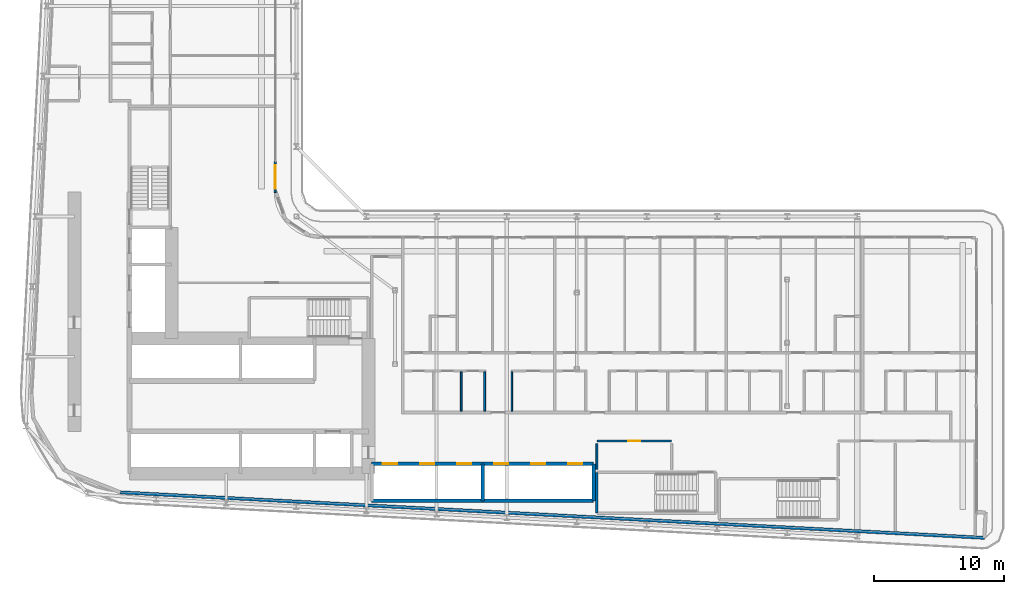
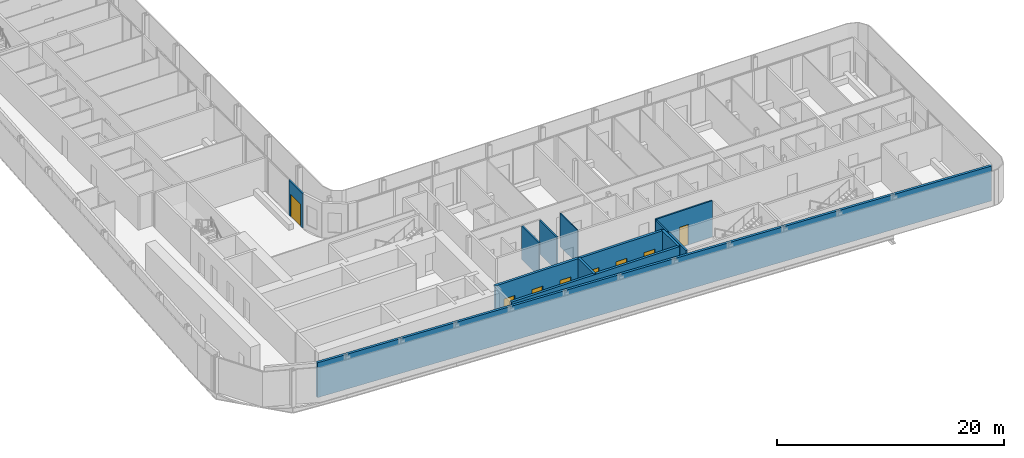
# One storey, part 14 of 28: 12 walls, 8 doors, 8 openings.
"""IFC4 building model written with IfcOpenShell, lengths in metres."""

from ifc_helpers import new_model, si_unit, direction, frame, frame_2d, origin, place, context, subcontext, project, spatial, rectangle, extrude, source, transform, mapped, material, layer, layer_set, type_object, element, fill, save


model = new_model("IFC4")

# Units and contexts
model_context = context("Model", 3, precision=1e-05, world=origin(), true_north=direction((0.0, 1.0)))
body_context = subcontext(model_context, "Body", "Model", "MODEL_VIEW")
ifc_project = project(units=[si_unit("LENGTHUNIT", "METRE"), si_unit("AREAUNIT", "SQUARE_METRE"), si_unit("VOLUMEUNIT", "CUBIC_METRE"), si_unit("PLANEANGLEUNIT", "RADIAN"), si_unit("MASSUNIT", "GRAM", prefix="KILO")], contexts=[model_context])

# Site, building, storey
site_placement = place(None, origin())
site = spatial("IfcSite", under=ifc_project, at=site_placement, CompositionType="ELEMENT")
building_placement = place(site_placement, origin())
building = spatial("IfcBuilding", under=site, at=building_placement, Name="Kheshtan School and Residences Tower", CompositionType="ELEMENT")
storey_placement = place(building_placement, frame((0.0, 0.0, 73.39990234375)))
storey = spatial("IfcBuildingStorey", under=building, at=storey_placement, Name="L17", CompositionType="ELEMENT", Elevation=73.39990234375)

# Wall
ifc_material_1 = material(Name="Concrete C40/50 with ceramic cladding and mineral wool insulation", Category="concrete")
ifc_layer_1 = layer(ifc_material_1, 0.25)
ifc_layer_set_1 = layer_set([ifc_layer_1], Name="External wall 250 ceramic clad")
wall_type_1 = type_object("IfcWallType", Name="External wall 250 ceramic clad", PredefinedType="SOLIDWALL", material=ifc_layer_set_1)
wall_1_placement = place(storey_placement, frame((100.5859375, 20.85009765625, 0.0), z_axis=(0.0, 0.0, 1.0), x_axis=(-0.99861746497, 0.052565755559, 0.0)))
element("IfcWall", 1, at=wall_1_placement, inside=storey, type_object=wall_type_1, Name="External wall L17 16", PredefinedType="SOLIDWALL", context=body_context, shape_type="SweptSolid", body=[
    extrude(rectangle(XDim=66.638916015625, YDim=0.25, at=frame_2d((33.3193359375, 0.0))), origin(), (0.0, 0.0, 1.0), 3.75),
])

# Wall, opening, door
ifc_material_2 = material(Name="Aluminium frame wall with insulated infill", Category="aluminium")
ifc_layer_2 = layer(ifc_material_2, 0.14990234375)
ifc_layer_set_2 = layer_set([ifc_layer_2], Name="Glazing frame wall 150")
wall_type_2 = type_object("IfcWallType", Name="Glazing frame wall 150", PredefinedType="SOLIDWALL", material=ifc_layer_set_2)
wall_2_placement = place(storey_placement, frame((45.97509765625, 49.830078125, 0.0), z_axis=(0.0, 0.0, 1.0), x_axis=(0.0, -1.0, 0.0)))
wall_2 = element("IfcWall", 2, at=wall_2_placement, inside=storey, type_object=wall_type_2, Name="Balcony door wall L17 8.5", PredefinedType="SOLIDWALL", context=body_context, shape_type="SweptSolid", body=[
    extrude(rectangle(XDim=2.400146484375, YDim=0.14990234375, at=frame_2d((1.2001953125, 0.0))), origin(), (0.0, 0.0, 1.0), 3.75),
])
opening_1_placement = place(wall_2_placement, frame((0.300048828125, 0.0, 0.0)))
opening_1 = element("IfcOpeningElement", 3, at=opening_1_placement, cuts=wall_2, Name="Opening BD", PredefinedType="OPENING", context=body_context, shape_type="SweptSolid", body=[
    extrude(rectangle(XDim=1.800048828125, YDim=2.39990234375, at=frame_2d((0.89990234375, 1.199951171875))), frame((0.0, 0.0849609375, 0.0), z_axis=(0.0, -1.0, 0.0), x_axis=(1.0, 0.0, 0.0)), (0.0, 0.0, 1.0), 0.169921875),
])
ifc_material_3 = material(Name="Clear low-e glass in thermally broken aluminium frame", Category="aluminium")
door_type_1 = type_object("IfcDoorType", Name="Balcony sliding door", OperationType="SLIDING_TO_LEFT", PredefinedType="DOOR", material=ifc_material_3)
shared_shape_1 = source(origin(), body_context, "Body", "SweptSolid", [
    extrude(rectangle(XDim=1.800048828125, YDim=2.39990234375, at=frame_2d((0.89990234375, 1.199951171875))), frame((0.0, 0.02490234375, 0.0), z_axis=(0.0, -1.0, 0.0), x_axis=(1.0, 0.0, 0.0)), (0.0, 0.0, 1.0), 0.050048828125),
])
door_1_placement = place(opening_1_placement, origin())
door_1 = element("IfcDoor", 4, at=door_1_placement, inside=storey, type_object=door_type_1, Name="Balcony door L17 8.5", OperationType="SLIDING_TO_LEFT", OverallHeight=2.39990234375, OverallWidth=1.800048828125, PredefinedType="DOOR", context=body_context, shape_type="MappedRepresentation", body=[
    mapped(shared_shape_1, transform((0.0, 0.0, 0.0), x_axis=(1.0, 0.0, 0.0), y_axis=(0.0, 1.0, 0.0), z_axis=(0.0, 0.0, 1.0), scale=1.0)),
])
fill(opening_1, door_1)

# Wall
ifc_material_4 = material(Name="Gypsum board on steel studs", Category="steel")
ifc_layer_3 = layer(ifc_material_4, 0.10009765625)
ifc_layer_set_3 = layer_set([ifc_layer_3], Name="Gypsum partition 100")
wall_type_3 = type_object("IfcWallType", Name="Gypsum partition 100", PredefinedType="PARTITIONING", material=ifc_layer_set_3)
wall_3_placement = place(storey_placement, frame((64.199951171875, 30.60009765625, 0.0), z_axis=(0.0, 0.0, 1.0), x_axis=(0.0, 1.0, 0.0)))
element("IfcWall", 5, at=wall_3_placement, inside=storey, type_object=wall_type_3, Name="Partition L17-058", PredefinedType="PARTITIONING", context=body_context, shape_type="SweptSolid", body=[
    extrude(rectangle(XDim=3.02490234375, YDim=0.10009765625, at=frame_2d((1.512451171875, 0.0))), origin(), (0.0, 0.0, 1.0), 3.60009765625),
])

# Wall, opening, door
ifc_material_5 = material(Name="Fire-board shaft wall system")
ifc_layer_4 = layer(ifc_material_5, 0.14990234375)
ifc_layer_set_4 = layer_set([ifc_layer_4], Name="Service room wall 150")
wall_type_4 = type_object("IfcWallType", Name="Service room wall 150", PredefinedType="PARTITIONING", material=ifc_layer_set_4)
wall_4_placement = place(storey_placement, frame((70.75, 28.300048828125, 0.0), z_axis=(0.0, 0.0, 1.0), x_axis=(1.0, 0.0, 0.0)))
wall_4 = element("IfcWall", 6, at=wall_4_placement, inside=storey, type_object=wall_type_4, Name="Service room wall", PredefinedType="PARTITIONING", context=body_context, shape_type="SweptSolid", body=[
    extrude(rectangle(XDim=5.760009765625, YDim=0.14990234375, at=frame_2d((2.8798828125, 0.0))), origin(), (0.0, 0.0, 1.0), 3.900146484375),
])
opening_2_placement = place(wall_4_placement, frame((2.429931640625, 0.0, 0.0)))
opening_2 = element("IfcOpeningElement", 7, at=opening_2_placement, cuts=wall_4, Name="Opening SR90", PredefinedType="OPENING", context=body_context, shape_type="SweptSolid", body=[
    extrude(rectangle(XDim=0.89990234375, YDim=2.199951171875, at=frame_2d((0.449951171875, 1.10009765625))), frame((0.0, 0.0849609375, 0.0), z_axis=(0.0, -1.0, 0.0), x_axis=(1.0, 0.0, 0.0)), (0.0, 0.0, 1.0), 0.169921875),
])
ifc_material_6 = material(Name="Steel door leaf, galvanised", Category="steel")
door_type_2 = type_object("IfcDoorType", Name="Service room door 900 steel 90 min", OperationType="SINGLE_SWING_LEFT", PredefinedType="DOOR", material=ifc_material_6)
shared_shape_2 = source(origin(), body_context, "Body", "SweptSolid", [
    extrude(rectangle(XDim=0.89990234375, YDim=2.199951171875, at=frame_2d((0.449951171875, 1.10009765625))), frame((0.0, 0.02490234375, 0.0), z_axis=(0.0, -1.0, 0.0), x_axis=(1.0, 0.0, 0.0)), (0.0, 0.0, 1.0), 0.050048828125),
])
door_2_placement = place(opening_2_placement, origin())
door_2 = element("IfcDoor", 8, at=door_2_placement, inside=storey, type_object=door_type_2, Name="Service room door", OperationType="SINGLE_SWING_LEFT", OverallHeight=2.199951171875, OverallWidth=0.89990234375, PredefinedType="DOOR", context=body_context, shape_type="MappedRepresentation", body=[
    mapped(shared_shape_2, transform((0.0, 0.0, 0.0), x_axis=(1.0, 0.0, 0.0), y_axis=(0.0, 1.0, 0.0), z_axis=(0.0, 0.0, 1.0), scale=1.0)),
])
fill(opening_2, door_2)

# Walls
wall_5_placement = place(storey_placement, frame((70.75, 26.1201171875, 0.0), z_axis=(0.0, 0.0, 1.0), x_axis=(0.0, 1.0, 0.0)))
element("IfcWall", 9, at=wall_5_placement, inside=storey, type_object=wall_type_4, Name="Service room wall", PredefinedType="PARTITIONING", context=body_context, shape_type="SweptSolid", body=[
    extrude(rectangle(XDim=1.98486328125, YDim=0.14990234375, at=frame_2d((0.992431640625, 0.0))), origin(), (0.0, 0.0, 1.0), 3.900146484375),
])
ifc_layer_5 = layer(ifc_material_5, 0.25)
ifc_layer_set_5 = layer_set([ifc_layer_5], Name="Shaft lining wall 250")
wall_type_5 = type_object("IfcWallType", Name="Shaft lining wall 250", PredefinedType="PARTITIONING", material=ifc_layer_set_5)
for number, where, z_axis, x_axis, name in (
    (10, (61.949951171875, 23.699951171875, 0.0), (0.0, 0.0, 1.0), (0.0, 1.0, 0.0), "Shaft lining wall"),
    (11, (70.5, 23.699951171875, 0.0), (0.0, 0.0, 1.0), (0.0, 1.0, 0.0), "Shaft lining wall"),
):
    element("IfcWall", number, at=place(storey_placement, frame(where, z_axis=z_axis, x_axis=x_axis)), inside=storey, type_object=wall_type_5, Name=name, PredefinedType="PARTITIONING", context=body_context, shape_type="SweptSolid", body=[
        extrude(rectangle(XDim=2.85009765625, YDim=0.25, at=frame_2d((1.425048828125, 0.0))), origin(), (0.0, 0.0, 1.0), 3.900146484375),
    ])
wall_6_placement = place(storey_placement, frame((53.39990234375, 23.699951171875, 0.0), z_axis=(0.0, 0.0, 1.0), x_axis=(1.0, 0.0, 0.0)))
element("IfcWall", 12, at=wall_6_placement, inside=storey, type_object=wall_type_5, Name="Shaft lining wall", PredefinedType="PARTITIONING", context=body_context, shape_type="SweptSolid", body=[
    extrude(rectangle(XDim=17.10009765625, YDim=0.25, at=frame_2d((8.550048828125, 0.0))), origin(), (0.0, 0.0, 1.0), 3.900146484375),
])

# Wall, openings, doors
wall_7_placement = place(storey_placement, frame((53.39990234375, 26.550048828125, 0.0), z_axis=(0.0, 0.0, 1.0), x_axis=(1.0, 0.0, 0.0)))
wall_7 = element("IfcWall", 13, at=wall_7_placement, inside=storey, type_object=wall_type_5, Name="Shaft lining wall", PredefinedType="PARTITIONING", context=body_context, shape_type="SweptSolid", body=[
    extrude(rectangle(XDim=17.10009765625, YDim=0.25, at=frame_2d((8.550048828125, 0.0))), origin(), (0.0, 0.0, 1.0), 3.900146484375),
])
opening_3_placement = place(wall_7_placement, frame((0.875, 0.0, 0.0)))
opening_3 = element("IfcOpeningElement", 14, at=opening_3_placement, cuts=wall_7, Name="Opening LD", PredefinedType="OPENING", context=body_context, shape_type="SweptSolid", body=[
    extrude(rectangle(XDim=1.10009765625, YDim=2.199951171875, at=frame_2d((0.550048828125, 1.10009765625))), frame((0.0, 0.135009765625, 0.0), z_axis=(0.0, -1.0, 0.0), x_axis=(1.0, 0.0, 0.0)), (0.0, 0.0, 1.0), 0.27001953125),
])
opening_4_placement = place(wall_7_placement, frame((3.72509765625, 0.0, 0.0)))
opening_4 = element("IfcOpeningElement", 15, at=opening_4_placement, cuts=wall_7, Name="Opening LD", PredefinedType="OPENING", context=body_context, shape_type="SweptSolid", body=[
    extrude(rectangle(XDim=1.10009765625, YDim=2.199951171875, at=frame_2d((0.550048828125, 1.10009765625))), frame((0.0, 0.135009765625, 0.0), z_axis=(0.0, -1.0, 0.0), x_axis=(1.0, 0.0, 0.0)), (0.0, 0.0, 1.0), 0.27001953125),
])
opening_5_placement = place(wall_7_placement, frame((6.574951171875, 0.0, 0.0)))
opening_5 = element("IfcOpeningElement", 16, at=opening_5_placement, cuts=wall_7, Name="Opening LD", PredefinedType="OPENING", context=body_context, shape_type="SweptSolid", body=[
    extrude(rectangle(XDim=1.10009765625, YDim=2.199951171875, at=frame_2d((0.550048828125, 1.10009765625))), frame((0.0, 0.135009765625, 0.0), z_axis=(0.0, -1.0, 0.0), x_axis=(1.0, 0.0, 0.0)), (0.0, 0.0, 1.0), 0.27001953125),
])
opening_6_placement = place(wall_7_placement, frame((9.425048828125, 0.0, 0.0)))
opening_6 = element("IfcOpeningElement", 17, at=opening_6_placement, cuts=wall_7, Name="Opening LD", PredefinedType="OPENING", context=body_context, shape_type="SweptSolid", body=[
    extrude(rectangle(XDim=1.10009765625, YDim=2.199951171875, at=frame_2d((0.550048828125, 1.10009765625))), frame((0.0, 0.135009765625, 0.0), z_axis=(0.0, -1.0, 0.0), x_axis=(1.0, 0.0, 0.0)), (0.0, 0.0, 1.0), 0.27001953125),
])
opening_7_placement = place(wall_7_placement, frame((12.27490234375, 0.0, 0.0)))
opening_7 = element("IfcOpeningElement", 18, at=opening_7_placement, cuts=wall_7, Name="Opening LD", PredefinedType="OPENING", context=body_context, shape_type="SweptSolid", body=[
    extrude(rectangle(XDim=1.10009765625, YDim=2.199951171875, at=frame_2d((0.550048828125, 1.10009765625))), frame((0.0, 0.135009765625, 0.0), z_axis=(0.0, -1.0, 0.0), x_axis=(1.0, 0.0, 0.0)), (0.0, 0.0, 1.0), 0.27001953125),
])
opening_8_placement = place(wall_7_placement, frame((15.125, 0.0, 0.0)))
opening_8 = element("IfcOpeningElement", 19, at=opening_8_placement, cuts=wall_7, Name="Opening LD", PredefinedType="OPENING", context=body_context, shape_type="SweptSolid", body=[
    extrude(rectangle(XDim=1.10009765625, YDim=2.199951171875, at=frame_2d((0.550048828125, 1.10009765625))), frame((0.0, 0.135009765625, 0.0), z_axis=(0.0, -1.0, 0.0), x_axis=(1.0, 0.0, 0.0)), (0.0, 0.0, 1.0), 0.27001953125),
])
ifc_material_7 = material(Name="Stainless steel door leaves", Category="steel")
door_type_3 = type_object("IfcDoorType", Name="Lift landing door 1100", OperationType="SLIDING_TO_LEFT", PredefinedType="DOOR", material=ifc_material_7)
shared_shape_3 = source(origin(), body_context, "Body", "SweptSolid", [
    extrude(rectangle(XDim=1.10009765625, YDim=2.199951171875, at=frame_2d((0.550048828125, 1.10009765625))), frame((0.0, 0.02490234375, 0.0), z_axis=(0.0, -1.0, 0.0), x_axis=(1.0, 0.0, 0.0)), (0.0, 0.0, 1.0), 0.050048828125),
])
door_3_placement = place(opening_3_placement, origin())
door_3 = element("IfcDoor", 20, at=door_3_placement, inside=storey, type_object=door_type_3, Name="Lift P1 landing door", OperationType="SLIDING_TO_LEFT", OverallHeight=2.199951171875, OverallWidth=1.10009765625, PredefinedType="DOOR", context=body_context, shape_type="MappedRepresentation", body=[
    mapped(shared_shape_3, transform((0.0, 0.0, 0.0), x_axis=(1.0, 0.0, 0.0), y_axis=(0.0, 1.0, 0.0), z_axis=(0.0, 0.0, 1.0), scale=1.0)),
])
fill(opening_3, door_3)
door_4_placement = place(opening_4_placement, origin())
door_4 = element("IfcDoor", 21, at=door_4_placement, inside=storey, type_object=door_type_3, Name="Lift P2 landing door", OperationType="SLIDING_TO_LEFT", OverallHeight=2.199951171875, OverallWidth=1.10009765625, PredefinedType="DOOR", context=body_context, shape_type="MappedRepresentation", body=[
    mapped(shared_shape_3, transform((0.0, 0.0, 0.0), x_axis=(1.0, 0.0, 0.0), y_axis=(0.0, 1.0, 0.0), z_axis=(0.0, 0.0, 1.0), scale=1.0)),
])
fill(opening_4, door_4)
door_5_placement = place(opening_5_placement, origin())
door_5 = element("IfcDoor", 22, at=door_5_placement, inside=storey, type_object=door_type_3, Name="Lift P3 landing door", OperationType="SLIDING_TO_LEFT", OverallHeight=2.199951171875, OverallWidth=1.10009765625, PredefinedType="DOOR", context=body_context, shape_type="MappedRepresentation", body=[
    mapped(shared_shape_3, transform((0.0, 0.0, 0.0), x_axis=(1.0, 0.0, 0.0), y_axis=(0.0, 1.0, 0.0), z_axis=(0.0, 0.0, 1.0), scale=1.0)),
])
fill(opening_5, door_5)
door_6_placement = place(opening_6_placement, origin())
door_6 = element("IfcDoor", 23, at=door_6_placement, inside=storey, type_object=door_type_3, Name="Lift P4 landing door", OperationType="SLIDING_TO_LEFT", OverallHeight=2.199951171875, OverallWidth=1.10009765625, PredefinedType="DOOR", context=body_context, shape_type="MappedRepresentation", body=[
    mapped(shared_shape_3, transform((0.0, 0.0, 0.0), x_axis=(1.0, 0.0, 0.0), y_axis=(0.0, 1.0, 0.0), z_axis=(0.0, 0.0, 1.0), scale=1.0)),
])
fill(opening_6, door_6)
door_7_placement = place(opening_7_placement, origin())
door_7 = element("IfcDoor", 24, at=door_7_placement, inside=storey, type_object=door_type_3, Name="Lift P5 landing door", OperationType="SLIDING_TO_LEFT", OverallHeight=2.199951171875, OverallWidth=1.10009765625, PredefinedType="DOOR", context=body_context, shape_type="MappedRepresentation", body=[
    mapped(shared_shape_3, transform((0.0, 0.0, 0.0), x_axis=(1.0, 0.0, 0.0), y_axis=(0.0, 1.0, 0.0), z_axis=(0.0, 0.0, 1.0), scale=1.0)),
])
fill(opening_7, door_7)
door_8_placement = place(opening_8_placement, origin())
door_8 = element("IfcDoor", 25, at=door_8_placement, inside=storey, type_object=door_type_3, Name="Lift P6 landing door", OperationType="SLIDING_TO_LEFT", OverallHeight=2.199951171875, OverallWidth=1.10009765625, PredefinedType="DOOR", context=body_context, shape_type="MappedRepresentation", body=[
    mapped(shared_shape_3, transform((0.0, 0.0, 0.0), x_axis=(1.0, 0.0, 0.0), y_axis=(0.0, 1.0, 0.0), z_axis=(0.0, 0.0, 1.0), scale=1.0)),
])
fill(opening_8, door_8)

# Walls
ifc_material_8 = material(Name="Concrete C40/50", Category="concrete")
ifc_layer_6 = layer(ifc_material_8, 0.199951171875)
ifc_layer_set_6 = layer_set([ifc_layer_6], Name="Stair enclosure wall 200 Concrete C40/50")
wall_type_6 = type_object("IfcWallType", Name="Stair enclosure wall 200 Concrete C40/50", PredefinedType="SHEAR", material=ifc_layer_set_6)
wall_8_placement = place(storey_placement, frame((70.75, 22.75, 0.0), z_axis=(0.0, 0.0, 1.0), x_axis=(0.0, 1.0, 0.0)))
element("IfcWall", 26, at=wall_8_placement, inside=storey, type_object=wall_type_6, Name="Stair enclosure wall ST5", PredefinedType="SHEAR", context=body_context, shape_type="SweptSolid", body=[
    extrude(rectangle(XDim=3.14990234375, YDim=0.199951171875, at=frame_2d((1.574951171875, 0.0))), origin(), (0.0, 0.0, 1.0), 3.900146484375),
])
ifc_material_9 = material(Name="Moisture-resistant gypsum board on steel studs", Category="steel")
ifc_layer_7 = layer(ifc_material_9, 0.14990234375)
ifc_layer_set_7 = layer_set([ifc_layer_7], Name="Wet-room partition 150")
wall_type_7 = type_object("IfcWallType", Name="Wet-room partition 150", PredefinedType="PARTITIONING", material=ifc_layer_set_7)
for number, where, z_axis, x_axis, name in (
    (27, (60.300048828125, 30.60009765625, 0.0), (0.0, 0.0, 1.0), (0.0, 1.0, 0.0), "Partition L17-054"),
    (28, (62.10009765625, 30.60009765625, 0.0), (0.0, 0.0, 1.0), (0.0, 1.0, 0.0), "Partition L17-055"),
):
    element("IfcWall", number, at=place(storey_placement, frame(where, z_axis=z_axis, x_axis=x_axis)), inside=storey, type_object=wall_type_7, Name=name, PredefinedType="PARTITIONING", context=body_context, shape_type="SweptSolid", body=[
        extrude(rectangle(XDim=3.02490234375, YDim=0.14990234375, at=frame_2d((1.512451171875, 0.0))), origin(), (0.0, 0.0, 1.0), 3.60009765625),
    ])

save(model, "model.ifc")
